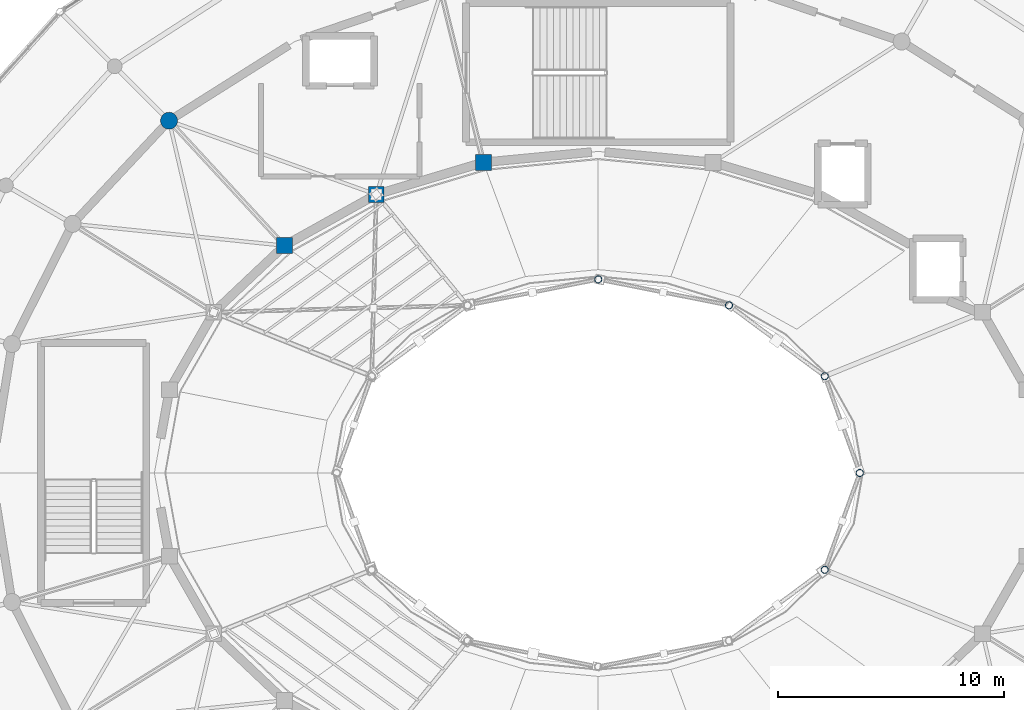
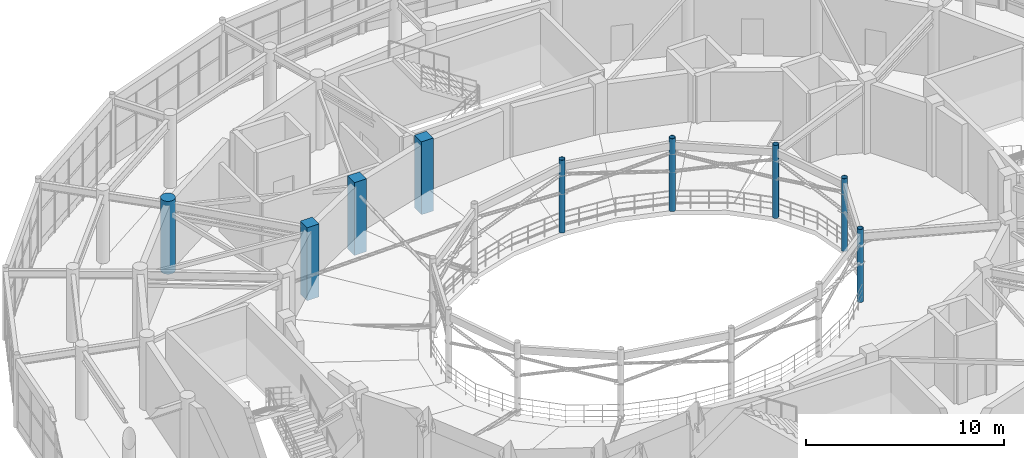
# One storey, part 9 of 112: 9 columns.
"""IFC4 building model written with IfcOpenShell, lengths in metres."""

import ifcopenshell
import ifcopenshell.guid

model = None  # the IFC model being written
_history = None  # IfcOwnerHistory: only IFC2X3 demands one
_inside = {}  # id of a spatial element -> (the spatial element, [elements in it])
_under = {}  # id of a project, library or spatial element -> (it, [spatial elements below it])
_declared = {}  # id of a project -> (the project, [libraries it declares])
_typed = {}  # id of a type object -> (the type object, [elements of that type])
_made_of = {}  # id of a material, layer set ... -> (it, [elements and type objects made of it])


def new_model(schema):
    """Start an empty IFC model of exactly this schema.

    Asked for "IFC4X3", IfcOpenShell would pick the latest addendum, in which some entities
    have other attributes; the version numbers below select the first issue.
    IFC2X3 requires an IfcOwnerHistory on every rooted entity: one is made here for all.
    """
    global model, _history
    if schema == "IFC4X3":
        model = ifcopenshell.file(schema_version=(4, 3, 0, 0))
    else:
        model = ifcopenshell.file(schema=schema)
    _inside.clear()
    _under.clear()
    _declared.clear()
    _typed.clear()
    _made_of.clear()
    _history = None
    if model.schema == "IFC2X3":
        org = make("IfcOrganization", Name="unknown")
        user = make(
            "IfcPersonAndOrganization",
            ThePerson=make("IfcPerson", FamilyName="unknown"),
            TheOrganization=org,
        )
        app = make(
            "IfcApplication",
            ApplicationDeveloper=org,
            Version="unknown",
            ApplicationFullName="unknown",
            ApplicationIdentifier="unknown",
        )
        _history = make(
            "IfcOwnerHistory",
            OwningUser=user,
            OwningApplication=app,
            ChangeAction="ADDED",
            CreationDate=0,
        )
    return model


def make(cls, **values):
    """One entity of the class cls with the attributes given. An attribute that is None is left unset."""
    return model.create_entity(
        cls, **{name: value for name, value in values.items() if value is not None}
    )


def rooted(cls, **values):
    """An entity with a GlobalId (a new one), such as an element, a storey or a relation."""
    return make(cls, GlobalId=ifcopenshell.guid.new(), OwnerHistory=_history, **values)


def si_unit(unit_type, name, prefix=None):
    """IfcSIUnit, for example si_unit("LENGTHUNIT", "METRE", prefix="MILLI")."""
    return make("IfcSIUnit", UnitType=unit_type, Prefix=prefix, Name=name)


def assignment(units):
    """IfcUnitAssignment: the units of a project."""
    return None if units is None else make("IfcUnitAssignment", Units=units)


def point(xyz):
    """IfcCartesianPoint."""
    return None if xyz is None else make("IfcCartesianPoint", Coordinates=xyz)


def direction(xyz):
    """IfcDirection."""
    return None if xyz is None else make("IfcDirection", DirectionRatios=xyz)


def frame(location, z_axis=None, x_axis=None):
    """IfcAxis2Placement3D, a coordinate frame: its origin and axes. An axis left out is left unset."""
    return make(
        "IfcAxis2Placement3D",
        Location=point(location),
        Axis=direction(z_axis),
        RefDirection=direction(x_axis),
    )


def frame_2d(location, x_axis=None):
    """IfcAxis2Placement2D, a coordinate frame in the plane: its origin and x axis."""
    return make(
        "IfcAxis2Placement2D", Location=point(location), RefDirection=direction(x_axis)
    )


def origin():
    """The frame at (0, 0, 0) with its axes left unset."""
    return frame((0.0, 0.0, 0.0))


def origin_2d():
    """The frame at (0, 0) in the plane with its x axis left unset."""
    return frame_2d((0.0, 0.0))


def place(relative_to, where):
    """IfcLocalPlacement: puts the frame where relative to a parent placement (None: the world)."""
    return make(
        "IfcLocalPlacement", PlacementRelTo=relative_to, RelativePlacement=where
    )


def context(
    kind, dimensions, precision=None, world=None, true_north=None, identifier=None
):
    """IfcGeometricRepresentationContext, for example the 3D "Model" context."""
    return make(
        "IfcGeometricRepresentationContext",
        ContextIdentifier=identifier,
        ContextType=kind,
        CoordinateSpaceDimension=dimensions,
        Precision=precision,
        WorldCoordinateSystem=world,
        TrueNorth=true_north,
    )


def subcontext(parent, identifier, kind, view, scale=None):
    """IfcGeometricRepresentationSubContext, for example "Body" below "Model"."""
    return make(
        "IfcGeometricRepresentationSubContext",
        ContextIdentifier=identifier,
        ContextType=kind,
        ParentContext=parent,
        TargetScale=scale,
        TargetView=view,
    )


def project(units=None, contexts=None):
    """IfcProject with its units and contexts."""
    return rooted(
        "IfcProject",
        Name="project",
        RepresentationContexts=contexts,
        UnitsInContext=assignment(units),
    )


def spatial(cls, under=None, at=None, **own):
    """A site, building, storey or space (cls), placed at a placement, below another one or the project."""
    s = rooted(cls, ObjectPlacement=at, **own)
    if under is not None:
        _under.setdefault(under.id(), (under, []))[1].append(s)
    return s


def profile(cls, at=None, kind="AREA", **sizes):
    """A parametric profile (cls). Its sizes go by their IFC names, for example OverallWidth=200.0."""
    return make(cls, ProfileType=kind, Position=at, **sizes)


def rectangle(**sizes):
    """IfcRectangleProfileDef."""
    return profile("IfcRectangleProfileDef", **sizes)


def circle(**sizes):
    """IfcCircleProfileDef."""
    return profile("IfcCircleProfileDef", **sizes)


def hollow_circle(**sizes):
    """IfcCircleHollowProfileDef."""
    return profile("IfcCircleHollowProfileDef", **sizes)


def extrude(swept, where, along, depth):
    """IfcExtrudedAreaSolid: the profile swept, set in the frame where, extruded along a direction by depth."""
    return make(
        "IfcExtrudedAreaSolid",
        SweptArea=swept,
        Position=where,
        ExtrudedDirection=direction(along),
        Depth=depth,
    )


def shape(context_of_items, identifier, shape_type, items):
    """IfcShapeRepresentation: the items that make up one representation, for example the "Body"."""
    return make(
        "IfcShapeRepresentation",
        ContextOfItems=context_of_items,
        RepresentationIdentifier=identifier,
        RepresentationType=shape_type,
        Items=items,
    )


def material(Name=None, Category=None):
    """IfcMaterial."""
    return make("IfcMaterial", Name=Name, Category=Category)


def material_profile(
    of_material, cross_section, Name=None, Category=None, Priority=None
):
    """IfcMaterialProfile: a cross section and its material."""
    return make(
        "IfcMaterialProfile",
        Name=Name,
        Material=of_material,
        Profile=cross_section,
        Priority=Priority,
        Category=Category,
    )


def profile_set(profiles, Name=None, composite=None):
    """IfcMaterialProfileSet."""
    return make(
        "IfcMaterialProfileSet",
        Name=Name,
        MaterialProfiles=profiles,
        CompositeProfile=composite,
    )


def made_of(thing, what):
    """Note that an element or type object is made of a material, layer set ...; save() writes the relation."""
    if what is not None:
        _made_of.setdefault(what.id(), (what, []))[1].append(thing)
    return thing


def type_object(cls, material=None, **own):
    """A type object (cls), such as IfcWallType, which elements share."""
    return made_of(rooted(cls, **own), material)


def element(
    cls,
    number,
    at=None,
    inside=None,
    cuts=None,
    type_object=None,
    material=None,
    context=None,
    identifier="Body",
    shape_type=None,
    held_by="IfcProductDefinitionShape",
    body=None,
    shapes=None,
    **own,
):
    """One element of the class cls, such as IfcWall. Its Tag is "e" and its number.

    at: its placement. inside: the storey or other place that contains it. cuts: it is an
    opening in that element (IfcRelVoidsElement). A single representation is given by context,
    identifier, shape_type and body (its items); several are given by shapes. held_by: the class
    of the entity that holds the representations. save() writes the other relations.
    """
    e = rooted(cls, Tag="e%d" % number, ObjectPlacement=at, **own)
    if body is not None:
        shapes = [shape(context, identifier, shape_type, body)]
    if shapes is not None:
        e.Representation = make(held_by, Representations=shapes)
    if inside is not None:
        _inside.setdefault(inside.id(), (inside, []))[1].append(e)
    if cuts is not None:
        rooted(
            "IfcRelVoidsElement", RelatingBuildingElement=cuts, RelatedOpeningElement=e
        )
    if type_object is not None:
        _typed.setdefault(type_object.id(), (type_object, []))[1].append(e)
    return made_of(e, material)


def aggregate(whole, parts):
    """IfcRelAggregates: a whole, such as a stair, and the parts it consists of."""
    return rooted("IfcRelAggregates", RelatingObject=whole, RelatedObjects=parts)


def save(model, path):
    """Write the relations noted so far, then the file.

    IfcRelAggregates (storeys below a building ...), IfcRelContainedInSpatialStructure (elements
    in a storey), IfcRelDefinesByType, IfcRelAssociatesMaterial and IfcRelDeclares: one each for
    every whole, place, type object, material and project.
    """
    for whole, parts in _under.values():
        aggregate(whole, parts)
    for where, things in _inside.values():
        rooted(
            "IfcRelContainedInSpatialStructure",
            RelatedElements=things,
            RelatingStructure=where,
        )
    for kind, things in _typed.values():
        rooted("IfcRelDefinesByType", RelatedObjects=things, RelatingType=kind)
    for what, things in _made_of.values():
        rooted("IfcRelAssociatesMaterial", RelatedObjects=things, RelatingMaterial=what)
    for by, libraries in _declared.values():
        rooted("IfcRelDeclares", RelatingContext=by, RelatedDefinitions=libraries)
    model.write(path)


model = new_model("IFC4")

# Units and contexts
model_context = context("Model", 3, precision=1e-05, world=origin(), true_north=direction((0.0, 1.0)))
body_context = subcontext(model_context, "Body", "Model", "MODEL_VIEW")
ifc_project = project(units=[si_unit("LENGTHUNIT", "METRE"), si_unit("AREAUNIT", "SQUARE_METRE"), si_unit("VOLUMEUNIT", "CUBIC_METRE"), si_unit("PLANEANGLEUNIT", "RADIAN"), si_unit("MASSUNIT", "GRAM", prefix="KILO")], contexts=[model_context])

# Site, building, storey
site_placement = place(None, origin())
site = spatial("IfcSite", under=ifc_project, at=site_placement, CompositionType="ELEMENT")
building_placement = place(site_placement, origin())
building = spatial("IfcBuilding", under=site, at=building_placement, Name="Cinderbank Siding Concert Hall", CompositionType="ELEMENT")
storey_placement = place(building_placement, frame((0.0, 0.0, 10.199951171875)))
storey = spatial("IfcBuildingStorey", under=building, at=storey_placement, Name="L03", CompositionType="ELEMENT", Elevation=10.199951171875)

# Columns
ifc_material_1 = material(Name="Structural steel hollow section AS/NZS 1163 Grade C350L0 (350 MPa)", Category="steel")
ifc_material_profile_1 = material_profile(ifc_material_1, hollow_circle(Radius=0.161865234375, WallThickness=0.0126953125, at=origin_2d()), Name="323.9x12.7CHS", Category="LoadBearing")
ifc_profile_set_1 = profile_set([ifc_material_profile_1], Name="Structural steel hollow section AS/NZS 1163 Grade C350L0 (350 MPa)")
column_type_1 = type_object("IfcColumnType", Name="C-CHS323 323.9x12.7CHS", PredefinedType="COLUMN", material=ifc_profile_set_1)
for number, where, z_axis, x_axis, name in (
    (1, (133.550048828125, 44.0, 0.0), (0.0, 0.0, 1.0), (1.0, 0.0, 0.0), "L03 Column COL-E0-01"),
    (2, (132.0029296875, 48.27490234375, 0.0), (0.0, 0.0, 1.0), (1.0, 0.0, 0.0), "L03 Column COL-E0-03"),
    (3, (127.77490234375, 51.404052734375, 0.0), (0.0, 0.0, 1.0), (1.0, 0.0, 0.0), "L03 Column COL-E0-05"),
    (4, (122.0, 52.550048828125, 0.0), (0.0, 0.0, 1.0), (1.0, 0.0, 0.0), "L03 Column COL-E0-07"),
    (5, (132.0029296875, 39.72509765625, 0.0), (0.0, 0.0, 1.0), (1.0, 0.0, 0.0), "L03 Column COL-E0-23"),
):
    element("IfcColumn", number, at=place(storey_placement, frame(where, z_axis=z_axis, x_axis=x_axis)), inside=storey, type_object=column_type_1, Name=name, PredefinedType="COLUMN", context=body_context, shape_type="SweptSolid", body=[
        extrude(hollow_circle(Radius=0.161865234375, WallThickness=0.0126953125, at=origin_2d()), origin(), (0.0, 0.0, 1.0), 4.5),
    ])
ifc_material_2 = material(Name="Reinforced concrete AS 3600 N50 (50 MPa)", Category="concrete")
ifc_material_profile_2 = material_profile(ifc_material_2, rectangle(XDim=0.699951171875, YDim=0.699951171875, at=origin_2d()), Name="RC-COL-700x700", Category="LoadBearing")
ifc_profile_set_2 = profile_set([ifc_material_profile_2], Name="Reinforced concrete AS 3600 N50 (50 MPa)")
column_type_2 = type_object("IfcColumnType", Name="C-RC700 RC-COL-700x700", PredefinedType="COLUMN", material=ifc_profile_set_2)
for number, where, z_axis, x_axis, name in (
    (6, (116.927001953125, 57.716064453125, 0.0), (0.0, 0.0, 1.0), (1.0, 0.0, 0.0), "L03 Column COL-E1-08"),
    (7, (112.199951171875, 56.298095703125, 0.0), (0.0, 0.0, 1.0), (1.0, 0.0, 0.0), "L03 Column COL-E1-09"),
    (8, (108.14111328125, 54.041015625, 0.0), (0.0, 0.0, 1.0), (1.0, 0.0, 0.0), "L03 Column COL-E1-10"),
):
    element("IfcColumn", number, at=place(storey_placement, frame(where, z_axis=z_axis, x_axis=x_axis)), inside=storey, type_object=column_type_2, Name=name, PredefinedType="COLUMN", context=body_context, shape_type="SweptSolid", body=[
        extrude(rectangle(XDim=0.699951171875, YDim=0.699951171875, at=origin_2d()), origin(), (0.0, 0.0, 1.0), 4.5),
    ])
ifc_material_profile_3 = material_profile(ifc_material_2, circle(Radius=0.375, at=origin_2d()), Name="RC-COL-750DIA", Category="LoadBearing")
ifc_profile_set_3 = profile_set([ifc_material_profile_3], Name="Reinforced concrete AS 3600 N50 (50 MPa)")
column_type_3 = type_object("IfcColumnType", Name="C-RCD750 RC-COL-750DIA", PredefinedType="COLUMN", material=ifc_profile_set_3)
column_placement = place(storey_placement, frame((103.049072265625, 59.555908203125, 0.0), z_axis=(0.0, 0.0, 1.0), x_axis=(1.0, 0.0, 0.0)))
element("IfcColumn", 9, at=column_placement, inside=storey, type_object=column_type_3, Name="L03 Column COL-E2-10", PredefinedType="COLUMN", context=body_context, shape_type="SweptSolid", body=[
    extrude(circle(Radius=0.375, at=origin_2d()), origin(), (0.0, 0.0, 1.0), 4.5),
])

save(model, "model.ifc")
